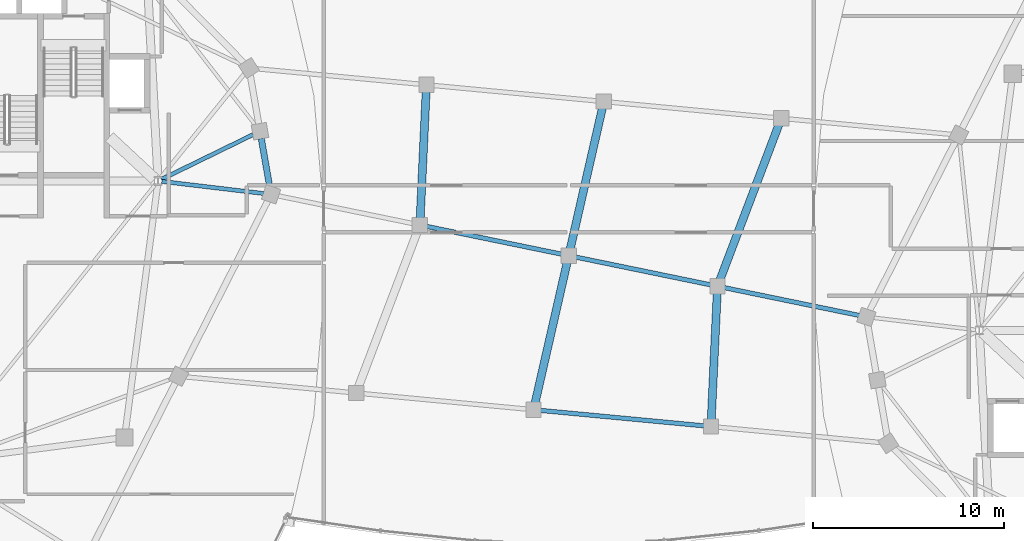
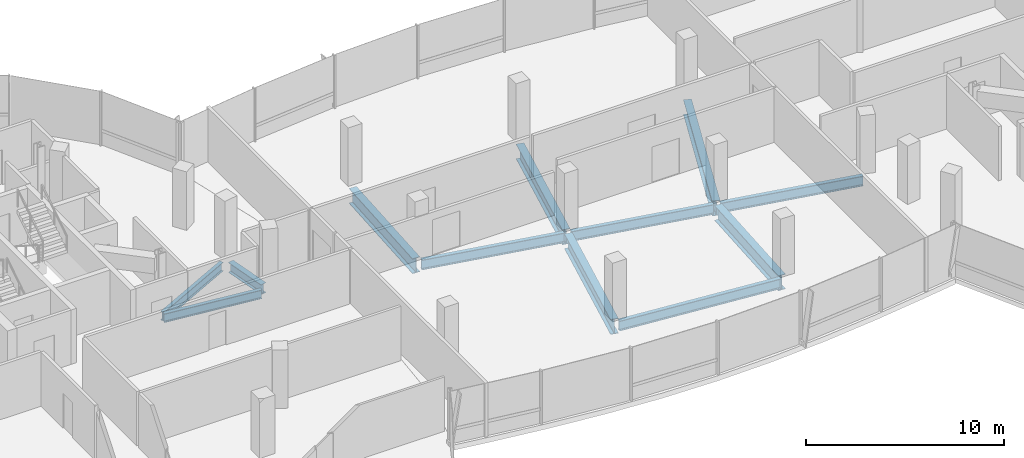
# One storey, part 5 of 25: 12 beams.
"""IFC4 building model written with IfcOpenShell, lengths in metres."""

from ifc_helpers import new_model, si_unit, direction, frame, origin, origin_2d, place, context, subcontext, project, spatial, i_section, extrude, material, material_profile, profile_set, type_object, element, save


model = new_model("IFC4")

# Units and contexts
model_context = context("Model", 3, precision=1e-05, world=origin(), true_north=direction((0.0, 1.0)))
body_context = subcontext(model_context, "Body", "Model", "MODEL_VIEW")
ifc_project = project(units=[si_unit("LENGTHUNIT", "METRE"), si_unit("AREAUNIT", "SQUARE_METRE"), si_unit("VOLUMEUNIT", "CUBIC_METRE"), si_unit("PLANEANGLEUNIT", "RADIAN"), si_unit("MASSUNIT", "GRAM", prefix="KILO"), si_unit("THERMODYNAMICTEMPERATUREUNIT", "KELVIN"), si_unit("POWERUNIT", "WATT")], contexts=[model_context])

# Site, building, storey
site_placement = place(None, origin())
site = spatial("IfcSite", under=ifc_project, at=site_placement, CompositionType="ELEMENT")
building_placement = place(site_placement, origin())
building = spatial("IfcBuilding", under=site, at=building_placement, Name="Cundina Bronze Exchange", CompositionType="ELEMENT")
storey_placement = place(building_placement, frame((0.0, 0.0, 250.39990234375)))
storey = spatial("IfcBuildingStorey", under=building, at=storey_placement, Name="L66", CompositionType="ELEMENT", Elevation=250.39990234375)

# Beams
ifc_material = material(Name="Steel ASTM A992 Grade 50", Category="steel")
ifc_material_profile_1 = material_profile(ifc_material, i_section(OverallWidth=0.2119140625, OverallDepth=0.5439453125, WebThickness=0.01318359375, FlangeThickness=0.021240234375, FilletRadius=0.013916015625, at=origin_2d()), Name="W21X83", Category="steel")
ifc_profile_set_1 = profile_set([ifc_material_profile_1], Name="Steel ASTM A992 Grade 50")
beam_type_1 = type_object("IfcBeamType", Name="BM-FLR-W21A", PredefinedType="BEAM", material=ifc_profile_set_1)
beam_1_placement = place(storey_placement, frame((-21.25537109375, 3.876953125, -0.531982421875), z_axis=(0.993031892142, -0.117845921393, 0.0), x_axis=(0.117845921393, 0.993031892142, 0.0)))
element("IfcBeam", 1, at=beam_1_placement, inside=storey, type_object=beam_type_1, Name="L66 Leg W Radial Floor Beam 00", PredefinedType="BEAM", context=body_context, shape_type="SweptSolid", body=[
    extrude(i_section(OverallWidth=0.2119140625, OverallDepth=0.5439453125, WebThickness=0.01318359375, FlangeThickness=0.021240234375, FilletRadius=0.013916015625, at=origin_2d()), origin(), (0.0, 0.0, 1.0), 5.357421875),
])
beam_2_placement = place(storey_placement, frame((-21.27392578125, 3.986083984375, -0.531982421875), z_axis=(0.898610260891, 0.438747762412, 0.0), x_axis=(-0.438747762412, 0.898610260891, 0.0)))
element("IfcBeam", 2, at=beam_2_placement, inside=storey, type_object=beam_type_1, Name="L66 Leg W Radial Floor Beam 01", PredefinedType="BEAM", context=body_context, shape_type="SweptSolid", body=[
    extrude(i_section(OverallWidth=0.2119140625, OverallDepth=0.5439453125, WebThickness=0.01318359375, FlangeThickness=0.021240234375, FilletRadius=0.013916015625, at=origin_2d()), origin(), (0.0, 0.0, 1.0), 5.341796875),
])
ifc_material_profile_2 = material_profile(ifc_material, i_section(OverallWidth=0.22998046875, OverallDepth=0.616943359375, WebThickness=0.01318359375, FlangeThickness=0.022216796875, FilletRadius=0.013916015625, at=origin_2d()), Name="W24X94", Category="steel")
ifc_profile_set_2 = profile_set([ifc_material_profile_2], Name="Steel ASTM A992 Grade 50")
beam_type_2 = type_object("IfcBeamType", Name="BM-FLR-W24B", PredefinedType="BEAM", material=ifc_profile_set_2)
beam_3_placement = place(storey_placement, frame((-1.658203125, -8.06689453125, -0.62841796875), z_axis=(0.995572136276, -0.094000646124, 0.0), x_axis=(0.094000646124, 0.995572136276, 0.0)))
element("IfcBeam", 3, at=beam_3_placement, inside=storey, type_object=beam_type_2, Name="L66 Sky-Gate Longitudinal Girder Y1-P3", PredefinedType="BEAM", context=body_context, shape_type="SweptSolid", body=[
    extrude(i_section(OverallWidth=0.22998046875, OverallDepth=0.616943359375, WebThickness=0.01318359375, FlangeThickness=0.022216796875, FilletRadius=0.013916015625, at=origin_2d()), origin(), (0.0, 0.0, 1.0), 8.949951171875),
])
for number, where, z_axis, x_axis, name in (
    (4, (-7.5986328125, 1.563720703125, -0.62841796875), (0.979477625294, -0.201552924934, 0.0), (0.201552924934, 0.979477625294, 0.0), "L66 Sky-Gate Longitudinal Girder Y2-P2"),
    (5, (0.17626953125, -0.036376953125, -0.62841796875), (0.979477625294, -0.201552924934, 0.0), (0.201552924934, 0.979477625294, 0.0), "L66 Sky-Gate Longitudinal Girder Y2-P3"),
    (6, (7.951416015625, -1.63623046875, -0.62841796875), (0.979471264571, -0.20158383338, 0.0), (0.20158383338, 0.979471264571, 0.0), "L66 Sky-Gate Longitudinal Girder Y2-P4"),
):
    element("IfcBeam", number, at=place(storey_placement, frame(where, z_axis=z_axis, x_axis=x_axis)), inside=storey, type_object=beam_type_2, Name=name, PredefinedType="BEAM", context=body_context, shape_type="SweptSolid", body=[
        extrude(i_section(OverallWidth=0.22998046875, OverallDepth=0.616943359375, WebThickness=0.01318359375, FlangeThickness=0.022216796875, FilletRadius=0.013916015625, at=origin_2d()), origin(), (0.0, 0.0, 1.0), 7.577880859375),
    ])
ifc_material_profile_3 = material_profile(ifc_material, i_section(OverallWidth=0.324951171875, OverallDepth=0.615966796875, WebThickness=0.013916015625, FlangeThickness=0.021484375, FilletRadius=0.01611328125, at=origin_2d()), Name="W24X117", Category="steel")
ifc_profile_set_3 = profile_set([ifc_material_profile_3], Name="Steel ASTM A992 Grade 50")
beam_type_3 = type_object("IfcBeamType", Name="BM-RING-W24", PredefinedType="USERDEFINED", material=ifc_profile_set_3)
beam_4_placement = place(storey_placement, frame((-15.61669921875, 3.582275390625, -0.56787109375), z_axis=(-0.171593362587, 0.985167862811, 0.0), x_axis=(-0.985167862811, -0.171593362587, 0.0)))
element("IfcBeam", 7, at=beam_4_placement, inside=storey, type_object=beam_type_3, Name="L66 W Perimeter Ring Girder 00", ObjectType="GIRDER", PredefinedType="USERDEFINED", context=body_context, shape_type="SweptSolid", body=[
    extrude(i_section(OverallWidth=0.324951171875, OverallDepth=0.615966796875, WebThickness=0.013916015625, FlangeThickness=0.021484375, FilletRadius=0.01611328125, at=origin_2d()), origin(), (0.0, 0.0, 1.0), 2.57373046875),
])
ifc_material_profile_4 = material_profile(ifc_material, i_section(OverallWidth=0.41796875, OverallDepth=0.927001953125, WebThickness=0.019287109375, FlangeThickness=0.031982421875, FilletRadius=0.02392578125, at=origin_2d()), Name="W36X231", Category="steel")
ifc_profile_set_4 = profile_set([ifc_material_profile_4], Name="Steel ASTM A992 Grade 50")
beam_type_4 = type_object("IfcBeamType", Name="BM-WRN-W36B", PredefinedType="USERDEFINED", material=ifc_profile_set_4)
beam_5_placement = place(storey_placement, frame((-7.7666015625, 1.77978515625, -0.783447265625), z_axis=(0.046881448177, 0.998900460415, 0.0), x_axis=(-0.998900460415, 0.046881448177, 0.0)))
element("IfcBeam", 8, at=beam_5_placement, inside=storey, type_object=beam_type_4, Name="L66 Sky-Gate Transverse Girder X1-N", ObjectType="GIRDER", PredefinedType="USERDEFINED", context=body_context, shape_type="SweptSolid", body=[
    extrude(i_section(OverallWidth=0.41796875, OverallDepth=0.927001953125, WebThickness=0.019287109375, FlangeThickness=0.031982421875, FilletRadius=0.02392578125, at=origin_2d()), origin(), (0.0, 0.0, 1.0), 6.972900390625),
])
for number, where, z_axis, x_axis, name in (
    (9, (-1.79736328125, -7.87451171875, -0.783447265625), (0.222530984599, 0.974925618134, 0.0), (-0.974925618134, 0.222530984599, 0.0), "L66 Sky-Gate Transverse Girder X2-S"),
    (10, (0.0400390625, 0.175537109375, -0.783447265625), (0.222530984599, 0.974925618134, 0.0), (-0.974925618134, 0.222530984599, 0.0), "L66 Sky-Gate Transverse Girder X2-N"),
):
    element("IfcBeam", number, at=place(storey_placement, frame(where, z_axis=z_axis, x_axis=x_axis)), inside=storey, type_object=beam_type_4, Name=name, ObjectType="GIRDER", PredefinedType="USERDEFINED", context=body_context, shape_type="SweptSolid", body=[
        extrude(i_section(OverallWidth=0.41796875, OverallDepth=0.927001953125, WebThickness=0.019287109375, FlangeThickness=0.031982421875, FilletRadius=0.02392578125, at=origin_2d()), origin(), (0.0, 0.0, 1.0), 7.89697265625),
    ])
beam_6_placement = place(storey_placement, frame((7.439697265625, -8.7451171875, -0.783447265625), z_axis=(0.046881448177, 0.998900460415, 0.0), x_axis=(-0.998900460415, 0.046881448177, 0.0)))
element("IfcBeam", 11, at=beam_6_placement, inside=storey, type_object=beam_type_4, Name="L66 Sky-Gate Transverse Girder X3-S", ObjectType="GIRDER", PredefinedType="USERDEFINED", context=body_context, shape_type="SweptSolid", body=[
    extrude(i_section(OverallWidth=0.41796875, OverallDepth=0.927001953125, WebThickness=0.019287109375, FlangeThickness=0.031982421875, FilletRadius=0.02392578125, at=origin_2d()), origin(), (0.0, 0.0, 1.0), 6.972900390625),
])
beam_7_placement = place(storey_placement, frame((7.8388671875, -1.431640625, -0.783447265625), z_axis=(0.354935532146, 0.934890778658, 0.0), x_axis=(-0.934890778658, 0.354935532146, 0.0)))
element("IfcBeam", 12, at=beam_7_placement, inside=storey, type_object=beam_type_4, Name="L66 Sky-Gate Transverse Girder X3-N", ObjectType="GIRDER", PredefinedType="USERDEFINED", context=body_context, shape_type="SweptSolid", body=[
    extrude(i_section(OverallWidth=0.41796875, OverallDepth=0.927001953125, WebThickness=0.019287109375, FlangeThickness=0.031982421875, FilletRadius=0.02392578125, at=origin_2d()), origin(), (0.0, 0.0, 1.0), 9.02587890625),
])

save(model, "model.ifc")
